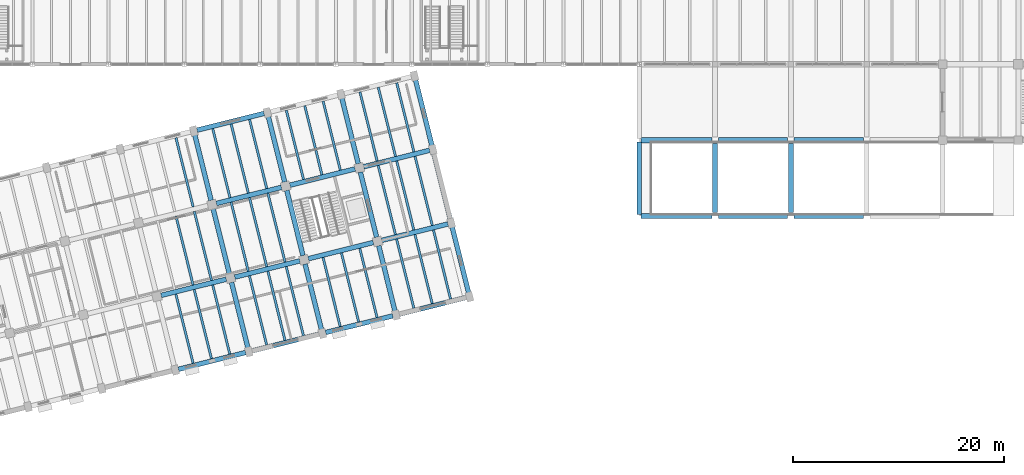
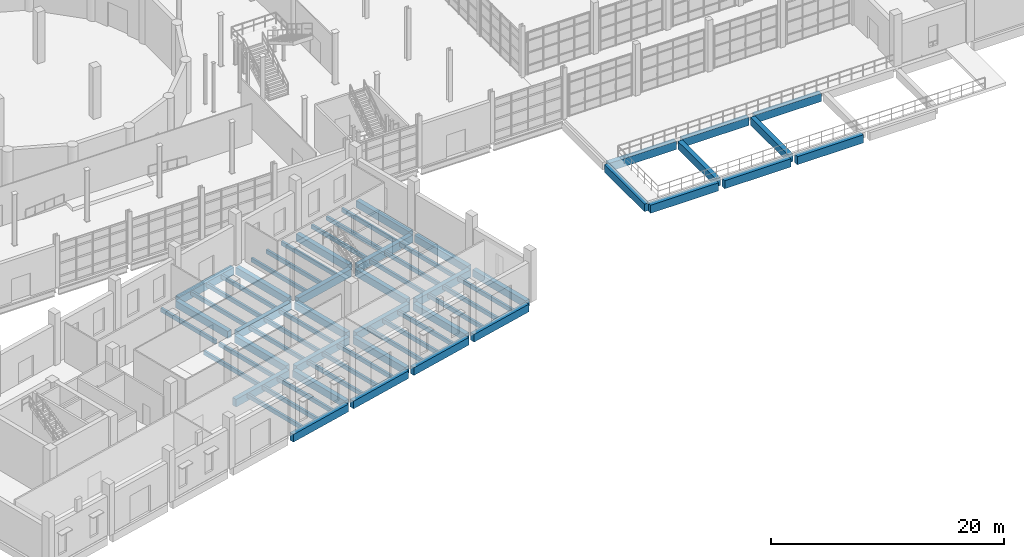
# One storey, part 24 of 79: 63 beams.
"""IFC4 building model written with IfcOpenShell, lengths in metres."""

from ifc_helpers import new_model, si_unit, direction, frame, origin, origin_2d, place, context, subcontext, project, spatial, rectangle, extrude, material, material_profile, profile_set, type_object, element, save


model = new_model("IFC4")

# Units and contexts
model_context = context("Model", 3, precision=1e-05, world=origin(), true_north=direction((0.0, 1.0)))
body_context = subcontext(model_context, "Body", "Model", "MODEL_VIEW")
ifc_project = project(units=[si_unit("LENGTHUNIT", "METRE"), si_unit("AREAUNIT", "SQUARE_METRE"), si_unit("VOLUMEUNIT", "CUBIC_METRE"), si_unit("PLANEANGLEUNIT", "RADIAN"), si_unit("MASSUNIT", "GRAM", prefix="KILO")], contexts=[model_context])

# Site, building, storey
site_placement = place(None, origin())
site = spatial("IfcSite", under=ifc_project, at=site_placement, CompositionType="ELEMENT")
building_placement = place(site_placement, origin())
building = spatial("IfcBuilding", under=site, at=building_placement, Name="Qiaolan Assembly House", CompositionType="ELEMENT")
storey_placement = place(building_placement, origin())
storey = spatial("IfcBuildingStorey", under=building, at=storey_placement, Name="L00", CompositionType="ELEMENT", Elevation=0.0)

# Beams
ifc_material_1 = material(Name="Concrete C40/50", Category="concrete")
ifc_material_profile_1 = material_profile(ifc_material_1, rectangle(XDim=0.449951171875, YDim=0.75, at=origin_2d()), Name="RCB 450x750")
ifc_profile_set_1 = profile_set([ifc_material_profile_1], Name="Concrete C40/50")
beam_type_1 = type_object("IfcBeamType", Name="BM-RC-450x750", PredefinedType="BEAM", material=ifc_profile_set_1)
beam_1_placement = place(storey_placement, frame((70.8544921875, 9.014892578125, -0.625), z_axis=(-0.241914070503, 0.970297677258, 0.0), x_axis=(-0.970297677258, -0.241914070503, 0.0)))
element("IfcBeam", 1, at=beam_1_placement, inside=storey, type_object=beam_type_1, Name="GB-04 beam BMV-SE-L00-05-00", PredefinedType="BEAM", context=body_context, shape_type="SweptSolid", body=[
    extrude(rectangle(XDim=0.449951171875, YDim=0.75, at=origin_2d()), origin(), (0.0, 0.0, 1.0), 6.469970703125),
])
beam_2_placement = place(storey_placement, frame((69.08837890625, 16.097900390625, -0.625), z_axis=(-0.241913342219, 0.970297858833, 0.0), x_axis=(-0.970297858833, -0.241913342219, 0.0)))
element("IfcBeam", 2, at=beam_2_placement, inside=storey, type_object=beam_type_1, Name="GB-04 beam BMV-SE-L00-05-01", PredefinedType="BEAM", context=body_context, shape_type="SweptSolid", body=[
    extrude(rectangle(XDim=0.449951171875, YDim=0.75, at=origin_2d()), origin(), (0.0, 0.0, 1.0), 6.3701171875),
])
beam_3_placement = place(storey_placement, frame((67.3466796875, 23.084228515625, -0.625), z_axis=(-0.241958454692, 0.970286610339, 0.0), x_axis=(-0.970286610339, -0.241958454692, 0.0)))
element("IfcBeam", 3, at=beam_3_placement, inside=storey, type_object=beam_type_1, Name="GB-04 beam BMV-SE-L00-05-02", PredefinedType="BEAM", context=body_context, shape_type="SweptSolid", body=[
    extrude(rectangle(XDim=0.449951171875, YDim=0.75, at=origin_2d()), origin(), (0.0, 0.0, 1.0), 6.4697265625),
])
beam_4_placement = place(storey_placement, frame((77.840576171875, 10.756591796875, -0.625), z_axis=(-0.241914070503, 0.970297677258, 0.0), x_axis=(-0.970297677258, -0.241914070503, 0.0)))
element("IfcBeam", 4, at=beam_4_placement, inside=storey, type_object=beam_type_1, Name="GB-04 beam BMV-SE-L00-06-00", PredefinedType="BEAM", context=body_context, shape_type="SweptSolid", body=[
    extrude(rectangle(XDim=0.449951171875, YDim=0.75, at=origin_2d()), origin(), (0.0, 0.0, 1.0), 6.469970703125),
])
beam_5_placement = place(storey_placement, frame((76.074462890625, 17.83984375, -0.625), z_axis=(-0.241922338715, 0.970295615795, 0.0), x_axis=(-0.970295615795, -0.241922338715, 0.0)))
element("IfcBeam", 5, at=beam_5_placement, inside=storey, type_object=beam_type_1, Name="GB-04 beam BMV-SE-L00-06-01", PredefinedType="BEAM", context=body_context, shape_type="SweptSolid", body=[
    extrude(rectangle(XDim=0.449951171875, YDim=0.75, at=origin_2d()), origin(), (0.0, 0.0, 1.0), 6.369873046875),
])
for number, where, z_axis, x_axis, name in (
    (6, (74.332763671875, 24.825927734375, -0.625), (-0.241914070503, 0.970297677258, 0.0), (-0.970297677258, -0.241914070503, 0.0), "GB-04 beam BMV-SE-L00-06-02"),
    (7, (84.82666015625, 12.49853515625, -0.625), (-0.241914070503, 0.970297677258, 0.0), (-0.970297677258, -0.241914070503, 0.0), "GB-04 beam BMV-SE-L00-07-00"),
):
    element("IfcBeam", number, at=place(storey_placement, frame(where, z_axis=z_axis, x_axis=x_axis)), inside=storey, type_object=beam_type_1, Name=name, PredefinedType="BEAM", context=body_context, shape_type="SweptSolid", body=[
        extrude(rectangle(XDim=0.449951171875, YDim=0.75, at=origin_2d()), origin(), (0.0, 0.0, 1.0), 6.469970703125),
    ])
beam_6_placement = place(storey_placement, frame((83.060791015625, 19.581787109375, -0.625), z_axis=(-0.241958422416, 0.970286618388, 0.0), x_axis=(-0.970286618388, -0.241958422416, 0.0)))
element("IfcBeam", 8, at=beam_6_placement, inside=storey, type_object=beam_type_1, Name="GB-04 beam BMV-SE-L00-07-01", PredefinedType="BEAM", context=body_context, shape_type="SweptSolid", body=[
    extrude(rectangle(XDim=0.449951171875, YDim=0.75, at=origin_2d()), origin(), (0.0, 0.0, 1.0), 6.369873046875),
])
beam_7_placement = place(storey_placement, frame((81.31884765625, 26.56787109375, -0.625), z_axis=(-0.241914070503, 0.970297677258, 0.0), x_axis=(-0.970297677258, -0.241914070503, 0.0)))
element("IfcBeam", 9, at=beam_7_placement, inside=storey, type_object=beam_type_1, Name="GB-04 beam BMV-SE-L00-07-02", PredefinedType="BEAM", context=body_context, shape_type="SweptSolid", body=[
    extrude(rectangle(XDim=0.449951171875, YDim=0.75, at=origin_2d()), origin(), (0.0, 0.0, 1.0), 6.469970703125),
])
for number, where, z_axis, x_axis, name in (
    (10, (91.812744140625, 14.240234375, -0.625), (-0.241906054289, 0.970299675821, 0.0), (-0.970299675821, -0.241906054289, 0.0), "GB-04 beam BMV-SE-L00-08-00"),
    (11, (90.071044921875, 21.2265625, -0.625), (-0.241949761922, 0.970288777997, 0.0), (-0.970288777997, -0.241949761922, 0.0), "GB-04 beam BMV-SE-L00-08-01"),
):
    element("IfcBeam", number, at=place(storey_placement, frame(where, z_axis=z_axis, x_axis=x_axis)), inside=storey, type_object=beam_type_1, Name=name, PredefinedType="BEAM", context=body_context, shape_type="SweptSolid", body=[
        extrude(rectangle(XDim=0.449951171875, YDim=0.75, at=origin_2d()), origin(), (0.0, 0.0, 1.0), 6.570068359375),
    ])
beam_8_placement = place(storey_placement, frame((88.3291015625, 28.212646484375, -0.625), z_axis=(-0.24191477664, 0.970297501204, 0.0), x_axis=(-0.970297501204, -0.24191477664, 0.0)))
element("IfcBeam", 12, at=beam_8_placement, inside=storey, type_object=beam_type_1, Name="GB-04 beam BMV-SE-L00-08-02", PredefinedType="BEAM", context=body_context, shape_type="SweptSolid", body=[
    extrude(rectangle(XDim=0.449951171875, YDim=0.75, at=origin_2d()), origin(), (0.0, 0.0, 1.0), 6.56982421875),
])
ifc_material_profile_2 = material_profile(ifc_material_1, rectangle(XDim=0.449951171875, YDim=0.800048828125, at=origin_2d()), Name="RCB 450x800")
ifc_profile_set_2 = profile_set([ifc_material_profile_2], Name="Concrete C40/50")
beam_type_2 = type_object("IfcBeamType", Name="BM-RC-450x800", PredefinedType="BEAM", material=ifc_profile_set_2)
beam_9_placement = place(storey_placement, frame((64.250244140625, 7.04345703125, -0.64990234375), z_axis=(0.970288777997, 0.241949761922, 0.0), x_axis=(-0.241949761922, 0.970288777997, 0.0)))
element("IfcBeam", 13, at=beam_9_placement, inside=storey, type_object=beam_type_2, Name="GB-03 beam BMU-SE-L00-04-00", PredefinedType="BEAM", context=body_context, shape_type="SweptSolid", body=[
    extrude(rectangle(XDim=0.449951171875, YDim=0.800048828125, at=origin_2d()), origin(), (0.0, 0.0, 1.0), 6.570068359375),
])
for number, where, z_axis, x_axis, name in (
    (14, (71.236328125, 8.785400390625, -0.64990234375), (0.970297501204, 0.24191477664, 0.0), (-0.24191477664, 0.970297501204, 0.0), "GB-03 beam BMU-SE-L00-05-00"),
    (15, (78.222412109375, 10.52734375, -0.64990234375), (0.970297501204, 0.24191477664, 0.0), (-0.24191477664, 0.970297501204, 0.0), "GB-03 beam BMU-SE-L00-06-00"),
):
    element("IfcBeam", number, at=place(storey_placement, frame(where, z_axis=z_axis, x_axis=x_axis)), inside=storey, type_object=beam_type_2, Name=name, PredefinedType="BEAM", context=body_context, shape_type="SweptSolid", body=[
        extrude(rectangle(XDim=0.449951171875, YDim=0.800048828125, at=origin_2d()), origin(), (0.0, 0.0, 1.0), 6.56982421875),
    ])
beam_10_placement = place(storey_placement, frame((85.20849609375, 12.26904296875, -0.64990234375), z_axis=(0.970299675821, 0.241906054289, 0.0), x_axis=(-0.241906054289, 0.970299675821, 0.0)))
element("IfcBeam", 16, at=beam_10_placement, inside=storey, type_object=beam_type_2, Name="GB-03 beam BMU-SE-L00-07-00", PredefinedType="BEAM", context=body_context, shape_type="SweptSolid", body=[
    extrude(rectangle(XDim=0.449951171875, YDim=0.800048828125, at=origin_2d()), origin(), (0.0, 0.0, 1.0), 6.570068359375),
])
for number, where, z_axis, x_axis, name in (
    (17, (62.60546875, 14.053955078125, -0.64990234375), (0.970295615795, 0.241922338715, 0.0), (-0.241922338715, 0.970295615795, 0.0), "GB-03 beam BMU-SE-L00-04-01"),
    (18, (69.591552734375, 15.795654296875, -0.64990234375), (0.970295615795, 0.241922338715, 0.0), (-0.241922338715, 0.970295615795, 0.0), "GB-03 beam BMU-SE-L00-05-01"),
    (19, (76.57763671875, 17.53759765625, -0.64990234375), (0.970295615795, 0.241922338715, 0.0), (-0.241922338715, 0.970295615795, 0.0), "GB-03 beam BMU-SE-L00-06-01"),
):
    element("IfcBeam", number, at=place(storey_placement, frame(where, z_axis=z_axis, x_axis=x_axis)), inside=storey, type_object=beam_type_2, Name=name, PredefinedType="BEAM", context=body_context, shape_type="SweptSolid", body=[
        extrude(rectangle(XDim=0.449951171875, YDim=0.800048828125, at=origin_2d()), origin(), (0.0, 0.0, 1.0), 6.369873046875),
    ])
beam_11_placement = place(storey_placement, frame((83.563720703125, 19.279296875, -0.64990234375), z_axis=(0.970288819386, 0.241949595936, 0.0), x_axis=(-0.241949595936, 0.970288819386, 0.0)))
element("IfcBeam", 20, at=beam_11_placement, inside=storey, type_object=beam_type_2, Name="GB-03 beam BMU-SE-L00-07-01", PredefinedType="BEAM", context=body_context, shape_type="SweptSolid", body=[
    extrude(rectangle(XDim=0.449951171875, YDim=0.800048828125, at=origin_2d()), origin(), (0.0, 0.0, 1.0), 6.469970703125),
])
for number, where, z_axis, x_axis, name in (
    (21, (67.849609375, 22.78173828125, -0.64990234375), (0.970288862074, 0.241949424745, 0.0), (-0.241949424745, 0.970288862074, 0.0), "GB-03 beam BMU-SE-L00-05-02"),
    (22, (74.835693359375, 24.523681640625, -0.64990234375), (0.970297858833, 0.241913342219, 0.0), (-0.241913342219, 0.970297858833, 0.0), "GB-03 beam BMU-SE-L00-06-02"),
):
    element("IfcBeam", number, at=place(storey_placement, frame(where, z_axis=z_axis, x_axis=x_axis)), inside=storey, type_object=beam_type_2, Name=name, PredefinedType="BEAM", context=body_context, shape_type="SweptSolid", body=[
        extrude(rectangle(XDim=0.449951171875, YDim=0.800048828125, at=origin_2d()), origin(), (0.0, 0.0, 1.0), 6.3701171875),
    ])
beam_12_placement = place(storey_placement, frame((81.822021484375, 26.265625, -0.64990234375), z_axis=(0.970295468839, 0.241922928119, 0.0), x_axis=(-0.241922928119, 0.970295468839, 0.0)))
element("IfcBeam", 23, at=beam_12_placement, inside=storey, type_object=beam_type_2, Name="GB-03 beam BMU-SE-L00-07-02", PredefinedType="BEAM", context=body_context, shape_type="SweptSolid", body=[
    extrude(rectangle(XDim=0.449951171875, YDim=0.800048828125, at=origin_2d()), origin(), (0.0, 0.0, 1.0), 6.4697265625),
])
beam_13_placement = place(storey_placement, frame((66.0107421875, 29.743896484375, -0.64990234375), z_axis=(0.970297501204, 0.24191477664, 0.0), x_axis=(-0.24191477664, 0.970297501204, 0.0)))
element("IfcBeam", 24, at=beam_13_placement, inside=storey, type_object=beam_type_2, Name="GB-03 beam BMU-SE-L00-05-03", PredefinedType="BEAM", context=body_context, shape_type="SweptSolid", body=[
    extrude(rectangle(XDim=0.449951171875, YDim=0.800048828125, at=origin_2d()), origin(), (0.0, 0.0, 1.0), 6.56982421875),
])
beam_14_placement = place(storey_placement, frame((108.0, 21.760009765625, -0.739990234375), z_axis=(0.0, 1.0, 0.0), x_axis=(-1.0, 0.0, 0.0)))
element("IfcBeam", 25, at=beam_14_placement, inside=storey, type_object=beam_type_2, Name="GB-03 beam BMY-APR0-L00-00-00", PredefinedType="BEAM", context=body_context, shape_type="SweptSolid", body=[
    extrude(rectangle(XDim=0.449951171875, YDim=0.800048828125, at=origin_2d()), origin(), (0.0, 0.0, 1.0), 6.8798828125),
])
for number, where, z_axis, x_axis, name in (
    (26, (115.199951171875, 21.9150390625, -0.739990234375), (0.0, 1.0, 0.0), (-1.0, 0.0, 0.0), "GB-03 beam BMY-APR0-L00-01-00"),
    (27, (122.39990234375, 21.9150390625, -0.739990234375), (0.0, 1.0, 0.0), (-1.0, 0.0, 0.0), "GB-03 beam BMY-APR0-L00-02-00"),
):
    element("IfcBeam", number, at=place(storey_placement, frame(where, z_axis=z_axis, x_axis=x_axis)), inside=storey, type_object=beam_type_2, Name=name, PredefinedType="BEAM", context=body_context, shape_type="SweptSolid", body=[
        extrude(rectangle(XDim=0.449951171875, YDim=0.800048828125, at=origin_2d()), origin(), (0.0, 0.0, 1.0), 6.570068359375),
    ])
ifc_material_2 = material(Name="Concrete C45/55", Category="concrete")
ifc_material_profile_3 = material_profile(ifc_material_2, rectangle(XDim=0.5, YDim=0.85009765625, at=origin_2d()), Name="RCB 500x850")
ifc_profile_set_3 = profile_set([ifc_material_profile_3], Name="Concrete C45/55")
beam_type_3 = type_object("IfcBeamType", Name="BM-RC-500x850", PredefinedType="BEAM", material=ifc_profile_set_3)
beam_15_placement = place(storey_placement, frame((108.159912109375, 21.60009765625, -0.764892578125), z_axis=(1.0, 0.0, 0.0), x_axis=(0.0, 1.0, 0.0)))
element("IfcBeam", 28, at=beam_15_placement, inside=storey, type_object=beam_type_3, Name="GB-02 beam BMX-APR0-L00-00-00", PredefinedType="BEAM", context=body_context, shape_type="SweptSolid", body=[
    extrude(rectangle(XDim=0.5, YDim=0.85009765625, at=origin_2d()), origin(), (0.0, 0.0, 1.0), 6.72509765625),
])
beam_16_placement = place(storey_placement, frame((115.514892578125, 21.60009765625, -0.764892578125), z_axis=(1.0, 0.0, 0.0), x_axis=(0.0, 1.0, 0.0)))
element("IfcBeam", 29, at=beam_16_placement, inside=storey, type_object=beam_type_3, Name="GB-02 beam BMX-APR0-L00-01-00", PredefinedType="BEAM", context=body_context, shape_type="SweptSolid", body=[
    extrude(rectangle(XDim=0.5, YDim=0.85009765625, at=origin_2d()), origin(), (0.0, 0.0, 1.0), 6.570068359375),
])
beam_17_placement = place(storey_placement, frame((122.715087890625, 21.60009765625, -0.764892578125), z_axis=(1.0, 0.0, 0.0), x_axis=(0.0, 1.0, 0.0)))
element("IfcBeam", 30, at=beam_17_placement, inside=storey, type_object=beam_type_3, Name="GB-02 beam BMX-APR0-L00-02-00", PredefinedType="BEAM", context=body_context, shape_type="SweptSolid", body=[
    extrude(rectangle(XDim=0.5, YDim=0.85009765625, at=origin_2d()), origin(), (0.0, 0.0, 1.0), 6.56982421875),
])
beam_18_placement = place(storey_placement, frame((108.159912109375, 28.800048828125, -0.764892578125), z_axis=(1.0, 0.0, 0.0), x_axis=(0.0, 1.0, 0.0)))
element("IfcBeam", 31, at=beam_18_placement, inside=storey, type_object=beam_type_3, Name="GB-02 beam BMX-APR0-L00-00-01", PredefinedType="BEAM", context=body_context, shape_type="SweptSolid", body=[
    extrude(rectangle(XDim=0.5, YDim=0.85009765625, at=origin_2d()), origin(), (0.0, 0.0, 1.0), 6.72509765625),
])
beam_19_placement = place(storey_placement, frame((115.514892578125, 28.800048828125, -0.764892578125), z_axis=(1.0, 0.0, 0.0), x_axis=(0.0, 1.0, 0.0)))
element("IfcBeam", 32, at=beam_19_placement, inside=storey, type_object=beam_type_3, Name="GB-02 beam BMX-APR0-L00-01-01", PredefinedType="BEAM", context=body_context, shape_type="SweptSolid", body=[
    extrude(rectangle(XDim=0.5, YDim=0.85009765625, at=origin_2d()), origin(), (0.0, 0.0, 1.0), 6.570068359375),
])
beam_20_placement = place(storey_placement, frame((122.715087890625, 28.800048828125, -0.764892578125), z_axis=(1.0, 0.0, 0.0), x_axis=(0.0, 1.0, 0.0)))
element("IfcBeam", 33, at=beam_20_placement, inside=storey, type_object=beam_type_3, Name="GB-02 beam BMX-APR0-L00-02-01", PredefinedType="BEAM", context=body_context, shape_type="SweptSolid", body=[
    extrude(rectangle(XDim=0.5, YDim=0.85009765625, at=origin_2d()), origin(), (0.0, 0.0, 1.0), 6.56982421875),
])
ifc_material_profile_4 = material_profile(ifc_material_1, rectangle(XDim=0.219970703125, YDim=0.419921875, at=origin_2d()), Name="RCB 220x420")
ifc_profile_set_4 = profile_set([ifc_material_profile_4], Name="Concrete C40/50")
beam_type_4 = type_object("IfcBeamType", Name="JST-RC-220x420", PredefinedType="JOIST", material=ifc_profile_set_4)
beam_21_placement = place(storey_placement, frame((65.63818359375, 7.615234375, -0.4599609375), z_axis=(-0.241932430168, 0.970293099652, 0.0), x_axis=(-0.970293099652, -0.241932430168, 0.0)))
element("IfcBeam", 34, at=beam_21_placement, inside=storey, type_object=beam_type_4, Name="RJ-03 beam JST-SE-L00-04-00-1", PredefinedType="JOIST", context=body_context, shape_type="SweptSolid", body=[
    extrude(rectangle(XDim=0.219970703125, YDim=0.419921875, at=origin_2d()), origin(), (0.0, 0.0, 1.0), 6.76220703125),
])
for number, where, z_axis, x_axis, name in (
    (35, (67.384521484375, 8.05078125, -0.4599609375), (-0.241906913479, 0.970299461615, 0.0), (-0.970299461615, -0.241906913479, 0.0), "RJ-03 beam JST-SE-L00-04-00-2"),
    (36, (69.131103515625, 8.486328125, -0.4599609375), (-0.241906913479, 0.970299461615, 0.0), (-0.970299461615, -0.241906913479, 0.0), "RJ-03 beam JST-SE-L00-04-00-3"),
):
    element("IfcBeam", number, at=place(storey_placement, frame(where, z_axis=z_axis, x_axis=x_axis)), inside=storey, type_object=beam_type_4, Name=name, PredefinedType="JOIST", context=body_context, shape_type="SweptSolid", body=[
        extrude(rectangle(XDim=0.219970703125, YDim=0.419921875, at=origin_2d()), origin(), (0.0, 0.0, 1.0), 6.761962890625),
    ])
beam_22_placement = place(storey_placement, frame((65.642822265625, 15.036865234375, -0.4599609375), z_axis=(-0.241932430168, 0.970293099652, 0.0), x_axis=(-0.970293099652, -0.241932430168, 0.0)))
element("IfcBeam", 37, at=beam_22_placement, inside=storey, type_object=beam_type_4, Name="RJ-03 beam JST-SE-L00-04-01-2", PredefinedType="JOIST", context=body_context, shape_type="SweptSolid", body=[
    extrude(rectangle(XDim=0.219970703125, YDim=0.419921875, at=origin_2d()), origin(), (0.0, 0.0, 1.0), 6.76220703125),
])
for number, where, z_axis, x_axis, name in (
    (38, (67.389404296875, 15.472412109375, -0.4599609375), (-0.241940905686, 0.970290986331, 0.0), (-0.970290986331, -0.241940905686, 0.0), "RJ-03 beam JST-SE-L00-04-01-3"),
    (39, (65.6474609375, 22.45849609375, -0.4599609375), (-0.241940905686, 0.970290986331, 0.0), (-0.970290986331, -0.241940905686, 0.0), "RJ-03 beam JST-SE-L00-04-02-3"),
    (40, (72.624267578125, 9.357177734375, -0.4599609375), (-0.241940905686, 0.970290986331, 0.0), (-0.970290986331, -0.241940905686, 0.0), "RJ-03 beam JST-SE-L00-05-00-1"),
):
    element("IfcBeam", number, at=place(storey_placement, frame(where, z_axis=z_axis, x_axis=x_axis)), inside=storey, type_object=beam_type_4, Name=name, PredefinedType="JOIST", context=body_context, shape_type="SweptSolid", body=[
        extrude(rectangle(XDim=0.219970703125, YDim=0.419921875, at=origin_2d()), origin(), (0.0, 0.0, 1.0), 6.761962890625),
    ])
for number, where, z_axis, x_axis, name in (
    (41, (74.370849609375, 9.79248046875, -0.4599609375), (-0.241932430168, 0.970293099652, 0.0), (-0.970293099652, -0.241932430168, 0.0), "RJ-03 beam JST-SE-L00-05-00-2"),
    (42, (76.1171875, 10.22802734375, -0.4599609375), (-0.241898439004, 0.970301574361, 0.0), (-0.970301574361, -0.241898439004, 0.0), "RJ-03 beam JST-SE-L00-05-00-3"),
):
    element("IfcBeam", number, at=place(storey_placement, frame(where, z_axis=z_axis, x_axis=x_axis)), inside=storey, type_object=beam_type_4, Name=name, PredefinedType="JOIST", context=body_context, shape_type="SweptSolid", body=[
        extrude(rectangle(XDim=0.219970703125, YDim=0.419921875, at=origin_2d()), origin(), (0.0, 0.0, 1.0), 6.76220703125),
    ])
for number, where, z_axis, x_axis, name in (
    (43, (70.88232421875, 16.34326171875, -0.4599609375), (-0.241906913479, 0.970299461615, 0.0), (-0.970299461615, -0.241906913479, 0.0), "RJ-03 beam JST-SE-L00-05-01-1"),
    (44, (72.62890625, 16.77880859375, -0.4599609375), (-0.241940905686, 0.970290986331, 0.0), (-0.970290986331, -0.241940905686, 0.0), "RJ-03 beam JST-SE-L00-05-01-2"),
):
    element("IfcBeam", number, at=place(storey_placement, frame(where, z_axis=z_axis, x_axis=x_axis)), inside=storey, type_object=beam_type_4, Name=name, PredefinedType="JOIST", context=body_context, shape_type="SweptSolid", body=[
        extrude(rectangle(XDim=0.219970703125, YDim=0.419921875, at=origin_2d()), origin(), (0.0, 0.0, 1.0), 6.761962890625),
    ])
for number, where, z_axis, x_axis, name in (
    (45, (74.37548828125, 17.214111328125, -0.4599609375), (-0.241932430168, 0.970293099652, 0.0), (-0.970293099652, -0.241932430168, 0.0), "RJ-03 beam JST-SE-L00-05-01-3"),
    (46, (69.140625, 23.329345703125, -0.4599609375), (-0.241932430168, 0.970293099652, 0.0), (-0.970293099652, -0.241932430168, 0.0), "RJ-03 beam JST-SE-L00-05-02-1"),
):
    element("IfcBeam", number, at=place(storey_placement, frame(where, z_axis=z_axis, x_axis=x_axis)), inside=storey, type_object=beam_type_4, Name=name, PredefinedType="JOIST", context=body_context, shape_type="SweptSolid", body=[
        extrude(rectangle(XDim=0.219970703125, YDim=0.419921875, at=origin_2d()), origin(), (0.0, 0.0, 1.0), 6.76220703125),
    ])
for number, where, z_axis, x_axis, name in (
    (47, (70.886962890625, 23.764892578125, -0.4599609375), (-0.241906913479, 0.970299461615, 0.0), (-0.970299461615, -0.241906913479, 0.0), "RJ-03 beam JST-SE-L00-05-02-2"),
    (48, (72.633544921875, 24.200439453125, -0.4599609375), (-0.241906913479, 0.970299461615, 0.0), (-0.970299461615, -0.241906913479, 0.0), "RJ-03 beam JST-SE-L00-05-02-3"),
):
    element("IfcBeam", number, at=place(storey_placement, frame(where, z_axis=z_axis, x_axis=x_axis)), inside=storey, type_object=beam_type_4, Name=name, PredefinedType="JOIST", context=body_context, shape_type="SweptSolid", body=[
        extrude(rectangle(XDim=0.219970703125, YDim=0.419921875, at=origin_2d()), origin(), (0.0, 0.0, 1.0), 6.761962890625),
    ])
beam_23_placement = place(storey_placement, frame((79.6103515625, 11.098876953125, -0.4599609375), z_axis=(-0.241932430168, 0.970293099652, 0.0), x_axis=(-0.970293099652, -0.241932430168, 0.0)))
element("IfcBeam", 49, at=beam_23_placement, inside=storey, type_object=beam_type_4, Name="RJ-03 beam JST-SE-L00-06-00-1", PredefinedType="JOIST", context=body_context, shape_type="SweptSolid", body=[
    extrude(rectangle(XDim=0.219970703125, YDim=0.419921875, at=origin_2d()), origin(), (0.0, 0.0, 1.0), 6.76220703125),
])
for number, where, z_axis, x_axis, name in (
    (50, (81.35693359375, 11.534423828125, -0.4599609375), (-0.241940905686, 0.970290986331, 0.0), (-0.970290986331, -0.241940905686, 0.0), "RJ-03 beam JST-SE-L00-06-00-2"),
    (51, (83.103271484375, 11.969970703125, -0.4599609375), (-0.241906913479, 0.970299461615, 0.0), (-0.970299461615, -0.241906913479, 0.0), "RJ-03 beam JST-SE-L00-06-00-3"),
    (52, (76.126708984375, 25.0712890625, -0.4599609375), (-0.241940905686, 0.970290986331, 0.0), (-0.970290986331, -0.241940905686, 0.0), "RJ-03 beam JST-SE-L00-06-02-1"),
):
    element("IfcBeam", number, at=place(storey_placement, frame(where, z_axis=z_axis, x_axis=x_axis)), inside=storey, type_object=beam_type_4, Name=name, PredefinedType="JOIST", context=body_context, shape_type="SweptSolid", body=[
        extrude(rectangle(XDim=0.219970703125, YDim=0.419921875, at=origin_2d()), origin(), (0.0, 0.0, 1.0), 6.761962890625),
    ])
for number, where, z_axis, x_axis, name in (
    (53, (77.873291015625, 25.506591796875, -0.4599609375), (-0.241932430168, 0.970293099652, 0.0), (-0.970293099652, -0.241932430168, 0.0), "RJ-03 beam JST-SE-L00-06-02-2"),
    (54, (79.61962890625, 25.942138671875, -0.4599609375), (-0.241898439004, 0.970301574361, 0.0), (-0.970301574361, -0.241898439004, 0.0), "RJ-03 beam JST-SE-L00-06-02-3"),
):
    element("IfcBeam", number, at=place(storey_placement, frame(where, z_axis=z_axis, x_axis=x_axis)), inside=storey, type_object=beam_type_4, Name=name, PredefinedType="JOIST", context=body_context, shape_type="SweptSolid", body=[
        extrude(rectangle(XDim=0.219970703125, YDim=0.419921875, at=origin_2d()), origin(), (0.0, 0.0, 1.0), 6.76220703125),
    ])
for number, where, z_axis, x_axis, name in (
    (55, (86.596435546875, 12.8408203125, -0.4599609375), (-0.241906913479, 0.970299461615, 0.0), (-0.970299461615, -0.241906913479, 0.0), "RJ-03 beam JST-SE-L00-07-00-1"),
    (56, (88.343017578125, 13.2763671875, -0.4599609375), (-0.241940905686, 0.970290986331, 0.0), (-0.970290986331, -0.241940905686, 0.0), "RJ-03 beam JST-SE-L00-07-00-2"),
):
    element("IfcBeam", number, at=place(storey_placement, frame(where, z_axis=z_axis, x_axis=x_axis)), inside=storey, type_object=beam_type_4, Name=name, PredefinedType="JOIST", context=body_context, shape_type="SweptSolid", body=[
        extrude(rectangle(XDim=0.219970703125, YDim=0.419921875, at=origin_2d()), origin(), (0.0, 0.0, 1.0), 6.761962890625),
    ])
for number, where, z_axis, x_axis, name in (
    (57, (90.089599609375, 13.711669921875, -0.4599609375), (-0.241932430168, 0.970293099652, 0.0), (-0.970293099652, -0.241932430168, 0.0), "RJ-03 beam JST-SE-L00-07-00-3"),
    (58, (84.854736328125, 19.826904296875, -0.4599609375), (-0.241932430168, 0.970293099652, 0.0), (-0.970293099652, -0.241932430168, 0.0), "RJ-03 beam JST-SE-L00-07-01-1"),
):
    element("IfcBeam", number, at=place(storey_placement, frame(where, z_axis=z_axis, x_axis=x_axis)), inside=storey, type_object=beam_type_4, Name=name, PredefinedType="JOIST", context=body_context, shape_type="SweptSolid", body=[
        extrude(rectangle(XDim=0.219970703125, YDim=0.419921875, at=origin_2d()), origin(), (0.0, 0.0, 1.0), 6.76220703125),
    ])
beam_24_placement = place(storey_placement, frame((86.60107421875, 20.262451171875, -0.4599609375), z_axis=(-0.241906913479, 0.970299461615, 0.0), x_axis=(-0.970299461615, -0.241906913479, 0.0)))
element("IfcBeam", 59, at=beam_24_placement, inside=storey, type_object=beam_type_4, Name="RJ-03 beam JST-SE-L00-07-01-2", PredefinedType="JOIST", context=body_context, shape_type="SweptSolid", body=[
    extrude(rectangle(XDim=0.219970703125, YDim=0.419921875, at=origin_2d()), origin(), (0.0, 0.0, 1.0), 6.761962890625),
])
for number, where, z_axis, x_axis, name in (
    (60, (88.34765625, 20.69775390625, -0.4599609375), (-0.241898439004, 0.970301574361, 0.0), (-0.970301574361, -0.241898439004, 0.0), "RJ-03 beam JST-SE-L00-07-01-3"),
    (61, (83.11279296875, 26.81298828125, -0.4599609375), (-0.241932430168, 0.970293099652, 0.0), (-0.970293099652, -0.241932430168, 0.0), "RJ-03 beam JST-SE-L00-07-02-1"),
):
    element("IfcBeam", number, at=place(storey_placement, frame(where, z_axis=z_axis, x_axis=x_axis)), inside=storey, type_object=beam_type_4, Name=name, PredefinedType="JOIST", context=body_context, shape_type="SweptSolid", body=[
        extrude(rectangle(XDim=0.219970703125, YDim=0.419921875, at=origin_2d()), origin(), (0.0, 0.0, 1.0), 6.76220703125),
    ])
for number, where, z_axis, x_axis, name in (
    (62, (84.859375, 27.24853515625, -0.4599609375), (-0.241940905686, 0.970290986331, 0.0), (-0.970290986331, -0.241940905686, 0.0), "RJ-03 beam JST-SE-L00-07-02-2"),
    (63, (86.60595703125, 27.68408203125, -0.4599609375), (-0.241940905686, 0.970290986331, 0.0), (-0.970290986331, -0.241940905686, 0.0), "RJ-03 beam JST-SE-L00-07-02-3"),
):
    element("IfcBeam", number, at=place(storey_placement, frame(where, z_axis=z_axis, x_axis=x_axis)), inside=storey, type_object=beam_type_4, Name=name, PredefinedType="JOIST", context=body_context, shape_type="SweptSolid", body=[
        extrude(rectangle(XDim=0.219970703125, YDim=0.419921875, at=origin_2d()), origin(), (0.0, 0.0, 1.0), 6.761962890625),
    ])

save(model, "model.ifc")
